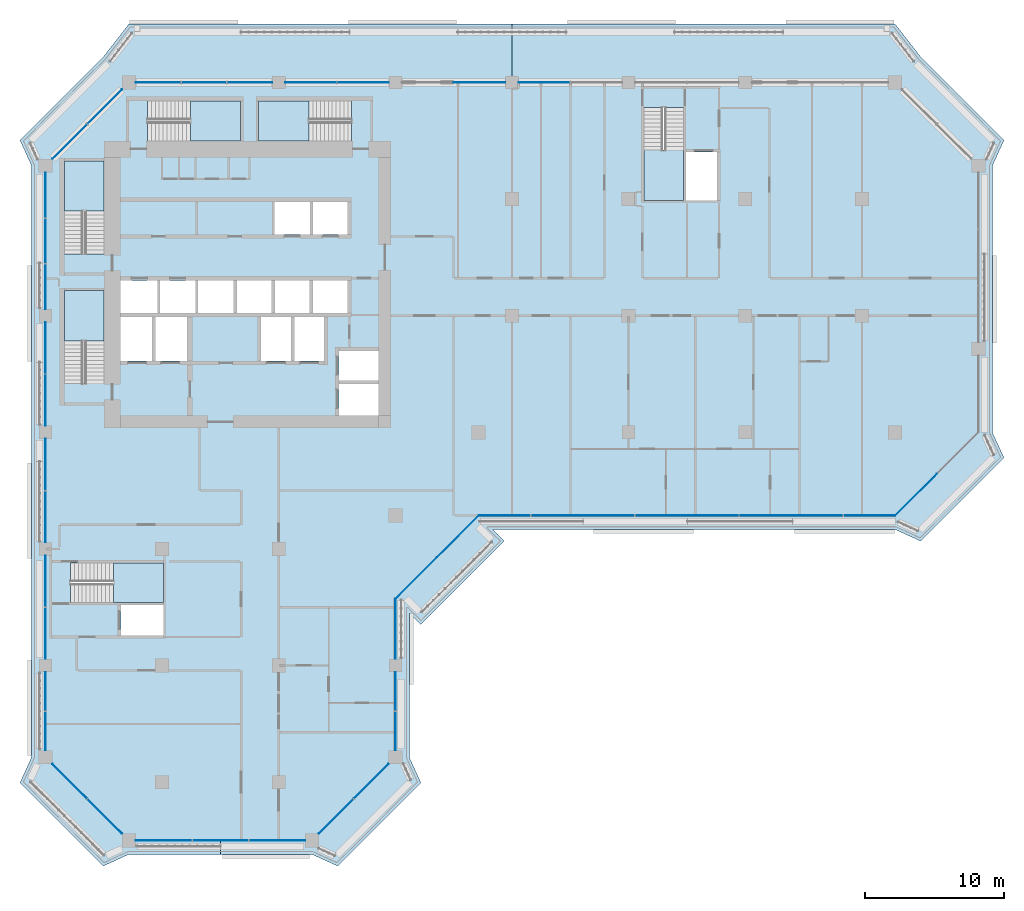
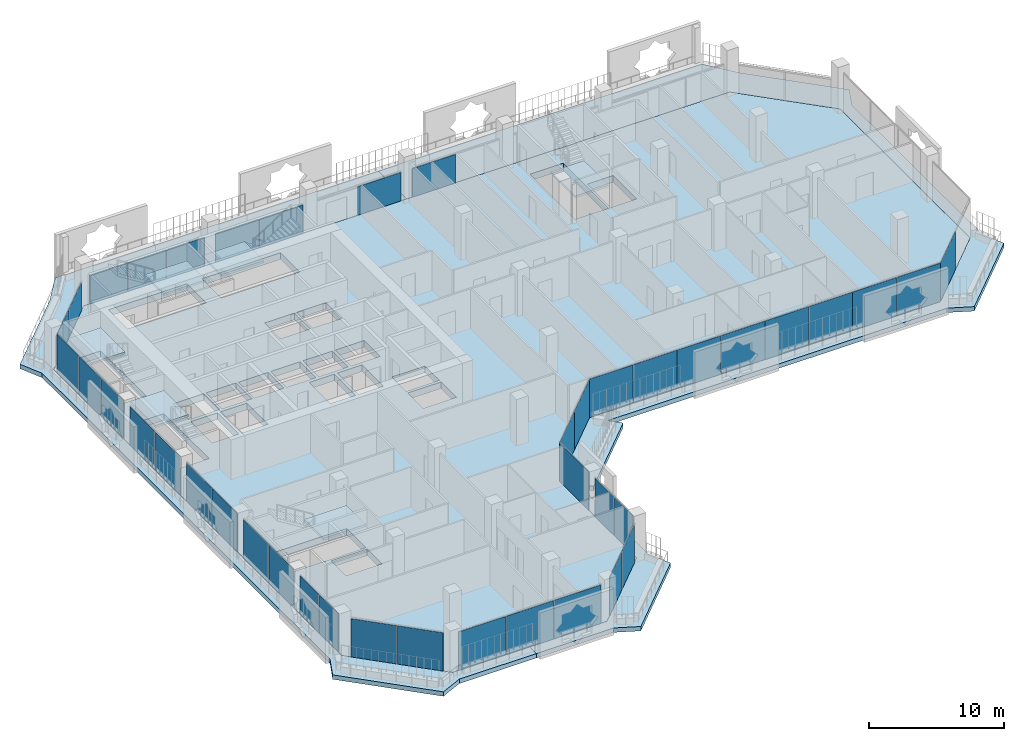
# One storey, part 8 of 22: 41 plates, 9 slabs, 16 elements without a shape of their own.
"""IFC4 building model written with IfcOpenShell, lengths in metres."""

from ifc_helpers import new_model, si_unit, direction, frame, origin, origin_2d, place, context, subcontext, project, spatial, polyline, rectangle, outline, extrude, material, layer, layer_set, type_object, element, aggregate, save


model = new_model("IFC4")

# Units and contexts
model_context = context("Model", 3, precision=1e-05, world=origin(), true_north=direction((0.0, 1.0)))
body_context = subcontext(model_context, "Body", "Model", "MODEL_VIEW")
ifc_project = project(units=[si_unit("LENGTHUNIT", "METRE"), si_unit("AREAUNIT", "SQUARE_METRE"), si_unit("VOLUMEUNIT", "CUBIC_METRE"), si_unit("PLANEANGLEUNIT", "RADIAN"), si_unit("MASSUNIT", "GRAM", prefix="KILO")], contexts=[model_context])

# Site, building, storey
site_placement = place(None, origin())
site = spatial("IfcSite", under=ifc_project, at=site_placement, CompositionType="ELEMENT")
building_placement = place(site_placement, origin())
building = spatial("IfcBuilding", under=site, at=building_placement, Name="Kawkab Arch Medical Tower", CompositionType="ELEMENT")
storey_placement = place(building_placement, frame((0.0, 0.0, 183.60009765625)))
storey = spatial("IfcBuildingStorey", under=building, at=storey_placement, Name="L42", CompositionType="ELEMENT", Elevation=183.60009765625)

# Curtain wall, plates
ifc_material_1 = material(Name="Bronze anodised aluminium curtain wall frame", Category="aluminium")
ifc_layer_1 = layer(ifc_material_1, 0.159912109375)
ifc_layer_set_1 = layer_set([ifc_layer_1], Name="Bronze anodised aluminium curtain wall frame")
curtain_wall_type_1 = type_object("IfcCurtainWallType", Name="CW1 ward curtain wall", PredefinedType="NOTDEFINED", material=ifc_layer_set_1)
placement_1 = place(storey_placement, origin())
curtain_wall_1 = element("IfcCurtainWall", 1, at=placement_1, inside=storey, type_object=curtain_wall_type_1, Name="CW1 Ward curtain wall R01", PredefinedType="NOTDEFINED")
ifc_material_2 = material(Name="Tinted insulating glass, bronze low-e coating", Category="glass")
ifc_layer_2 = layer(ifc_material_2, 0.031982421875)
ifc_layer_set_2 = layer_set([ifc_layer_2], Name="Tinted insulating glass, bronze low-e coating")
plate_type_1 = type_object("IfcPlateType", Name="CW1 glazing unit 32", PredefinedType="CURTAIN_PANEL", material=ifc_layer_set_2)
plate_1_placement = place(storey_placement, frame((0.0, -8.12255859375, 0.0), z_axis=(0.0, 0.0, 1.0), x_axis=(0.0, -1.0, 0.0)))
plate_1 = element("IfcPlate", 2, at=plate_1_placement, type_object=plate_type_1, Name="CW1 glazing unit 1.1", PredefinedType="CURTAIN_PANEL", context=body_context, shape_type="SweptSolid", body=[
    extrude(rectangle(XDim=3.2451171875, YDim=0.031982421875, at=origin_2d()), origin(), (0.0, 0.0, 1.0), 3.47998046875),
])
plate_2_placement = place(storey_placement, frame((0.0, -11.41259765625, 0.0), z_axis=(0.0, 0.0, 1.0), x_axis=(0.0, -1.0, 0.0)))
plate_2 = element("IfcPlate", 3, at=plate_2_placement, type_object=plate_type_1, Name="CW1 glazing unit 1.2", PredefinedType="CURTAIN_PANEL", context=body_context, shape_type="SweptSolid", body=[
    extrude(rectangle(XDim=3.215087890625, YDim=0.031982421875, at=origin_2d()), origin(), (0.0, 0.0, 1.0), 3.47998046875),
])
plate_3_placement = place(storey_placement, frame((0.0, -14.702392578125, 0.0), z_axis=(0.0, 0.0, 1.0), x_axis=(0.0, -1.0, 0.0)))
plate_3 = element("IfcPlate", 4, at=plate_3_placement, type_object=plate_type_1, Name="CW1 glazing unit 1.3", PredefinedType="CURTAIN_PANEL", context=body_context, shape_type="SweptSolid", body=[
    extrude(rectangle(XDim=3.2451171875, YDim=0.031982421875, at=origin_2d()), origin(), (0.0, 0.0, 1.0), 3.47998046875),
])
plate_4_placement = place(storey_placement, frame((0.0, -19.12255859375, 0.0), z_axis=(0.0, 0.0, 1.0), x_axis=(0.0, -1.0, 0.0)))
plate_4 = element("IfcPlate", 5, at=plate_4_placement, type_object=plate_type_1, Name="CW1 glazing unit 2.1", PredefinedType="CURTAIN_PANEL", context=body_context, shape_type="SweptSolid", body=[
    extrude(rectangle(XDim=3.695068359375, YDim=0.031982421875, at=origin_2d()), origin(), (0.0, 0.0, 1.0), 3.47998046875),
])
plate_5_placement = place(storey_placement, frame((0.0, -22.87744140625, 0.0), z_axis=(0.0, 0.0, 1.0), x_axis=(0.0, -1.0, 0.0)))
plate_5 = element("IfcPlate", 6, at=plate_5_placement, type_object=plate_type_1, Name="CW1 glazing unit 2.2", PredefinedType="CURTAIN_PANEL", context=body_context, shape_type="SweptSolid", body=[
    extrude(rectangle(XDim=3.695068359375, YDim=0.031982421875, at=origin_2d()), origin(), (0.0, 0.0, 1.0), 3.47998046875),
])
plate_6_placement = place(storey_placement, frame((0.0, -27.5224609375, 0.0), z_axis=(0.0, 0.0, 1.0), x_axis=(0.0, -1.0, 0.0)))
plate_6 = element("IfcPlate", 7, at=plate_6_placement, type_object=plate_type_1, Name="CW1 glazing unit 3.1", PredefinedType="CURTAIN_PANEL", context=body_context, shape_type="SweptSolid", body=[
    extrude(rectangle(XDim=3.695068359375, YDim=0.031982421875, at=origin_2d()), origin(), (0.0, 0.0, 1.0), 3.47998046875),
])
plate_7_placement = place(storey_placement, frame((0.0, -31.277587890625, 0.0), z_axis=(0.0, 0.0, 1.0), x_axis=(0.0, -1.0, 0.0)))
plate_7 = element("IfcPlate", 8, at=plate_7_placement, type_object=plate_type_1, Name="CW1 glazing unit 3.2", PredefinedType="CURTAIN_PANEL", context=body_context, shape_type="SweptSolid", body=[
    extrude(rectangle(XDim=3.695068359375, YDim=0.031982421875, at=origin_2d()), origin(), (0.0, 0.0, 1.0), 3.47998046875),
])
plate_8_placement = place(storey_placement, frame((0.0, -35.922607421875, 0.0), z_axis=(0.0, 0.0, 1.0), x_axis=(0.0, -1.0, 0.0)))
plate_8 = element("IfcPlate", 9, at=plate_8_placement, type_object=plate_type_1, Name="CW1 glazing unit 4.1", PredefinedType="CURTAIN_PANEL", context=body_context, shape_type="SweptSolid", body=[
    extrude(rectangle(XDim=3.695068359375, YDim=0.031982421875, at=origin_2d()), origin(), (0.0, 0.0, 1.0), 3.47998046875),
])
plate_9_placement = place(storey_placement, frame((0.0, -39.677490234375, 0.0), z_axis=(0.0, 0.0, 1.0), x_axis=(0.0, -1.0, 0.0)))
plate_9 = element("IfcPlate", 10, at=plate_9_placement, type_object=plate_type_1, Name="CW1 glazing unit 4.2", PredefinedType="CURTAIN_PANEL", context=body_context, shape_type="SweptSolid", body=[
    extrude(rectangle(XDim=3.695068359375, YDim=0.031982421875, at=origin_2d()), origin(), (0.0, 0.0, 1.0), 3.47998046875),
])
plate_10_placement = place(storey_placement, frame((0.0, -43.8662109375, 0.0), z_axis=(0.0, 0.0, 1.0), x_axis=(0.0, -1.0, 0.0)))
plate_10 = element("IfcPlate", 11, at=plate_10_placement, type_object=plate_type_1, Name="CW1 glazing unit 5.1", PredefinedType="CURTAIN_PANEL", context=body_context, shape_type="SweptSolid", body=[
    extrude(rectangle(XDim=2.782470703125, YDim=0.031982421875, at=origin_2d()), origin(), (0.0, 0.0, 1.0), 3.47998046875),
])
plate_11_placement = place(storey_placement, frame((0.0, -46.708740234375, 0.0), z_axis=(0.0, 0.0, 1.0), x_axis=(0.0, -1.0, 0.0)))
plate_11 = element("IfcPlate", 12, at=plate_11_placement, type_object=plate_type_1, Name="CW1 glazing unit 5.2", PredefinedType="CURTAIN_PANEL", context=body_context, shape_type="SweptSolid", body=[
    extrude(rectangle(XDim=2.782470703125, YDim=0.031982421875, at=origin_2d()), origin(), (0.0, 0.0, 1.0), 3.47998046875),
])
aggregate(curtain_wall_1, [plate_1, plate_2, plate_3, plate_4, plate_5, plate_6, plate_7, plate_8, plate_9, plate_10, plate_11])

curtain_wall_2 = element("IfcCurtainWall", 13, at=placement_1, inside=storey, type_object=curtain_wall_type_1, Name="CW1 Ward curtain wall R03", PredefinedType="NOTDEFINED")
plate_12_placement = place(storey_placement, frame((8.518310546875, -54.60009765625, 0.0), z_axis=(0.0, 0.0, 1.0), x_axis=(1.0, 0.0, 0.0)))
plate_12 = element("IfcPlate", 14, at=plate_12_placement, type_object=plate_type_1, Name="CW1 glazing unit 1.1", PredefinedType="CURTAIN_PANEL", context=body_context, shape_type="SweptSolid", body=[
    extrude(rectangle(XDim=4.03662109375, YDim=0.031982421875, at=origin_2d()), origin(), (0.0, 0.0, 1.0), 3.47998046875),
])
plate_13_placement = place(storey_placement, frame((12.60009765625, -54.60009765625, 0.0), z_axis=(0.0, 0.0, 1.0), x_axis=(1.0, 0.0, 0.0)))
plate_13 = element("IfcPlate", 15, at=plate_13_placement, type_object=plate_type_1, Name="CW1 glazing unit 1.2", PredefinedType="CURTAIN_PANEL", context=body_context, shape_type="SweptSolid", body=[
    extrude(rectangle(XDim=4.006591796875, YDim=0.031982421875, at=origin_2d()), origin(), (0.0, 0.0, 1.0), 3.47998046875),
])
plate_14_placement = place(storey_placement, frame((16.681640625, -54.60009765625, 0.0), z_axis=(0.0, 0.0, 1.0), x_axis=(1.0, 0.0, 0.0)))
plate_14 = element("IfcPlate", 16, at=plate_14_placement, type_object=plate_type_1, Name="CW1 glazing unit 1.3", PredefinedType="CURTAIN_PANEL", context=body_context, shape_type="SweptSolid", body=[
    extrude(rectangle(XDim=4.03662109375, YDim=0.031982421875, at=origin_2d()), origin(), (0.0, 0.0, 1.0), 3.47998046875),
])
aggregate(curtain_wall_2, [plate_12, plate_13, plate_14])

curtain_wall_3 = element("IfcCurtainWall", 17, at=placement_1, inside=storey, type_object=curtain_wall_type_1, Name="CW1 Ward curtain wall R05", PredefinedType="NOTDEFINED")
plate_15_placement = place(storey_placement, frame((25.199951171875, -46.708740234375, 0.0), z_axis=(0.0, 0.0, 1.0), x_axis=(0.0, 1.0, 0.0)))
plate_15 = element("IfcPlate", 18, at=plate_15_placement, type_object=plate_type_1, Name="CW1 glazing unit 1.1", PredefinedType="CURTAIN_PANEL", context=body_context, shape_type="SweptSolid", body=[
    extrude(rectangle(XDim=2.782470703125, YDim=0.031982421875, at=origin_2d()), origin(), (0.0, 0.0, 1.0), 3.47998046875),
])
plate_16_placement = place(storey_placement, frame((25.199951171875, -43.8662109375, 0.0), z_axis=(0.0, 0.0, 1.0), x_axis=(0.0, 1.0, 0.0)))
plate_16 = element("IfcPlate", 19, at=plate_16_placement, type_object=plate_type_1, Name="CW1 glazing unit 1.2", PredefinedType="CURTAIN_PANEL", context=body_context, shape_type="SweptSolid", body=[
    extrude(rectangle(XDim=2.782470703125, YDim=0.031982421875, at=origin_2d()), origin(), (0.0, 0.0, 1.0), 3.47998046875),
])
plate_17_placement = place(storey_placement, frame((25.199951171875, -39.362548828125, 0.0), z_axis=(0.0, 0.0, 1.0), x_axis=(0.0, 1.0, 0.0)))
plate_17 = element("IfcPlate", 20, at=plate_17_placement, type_object=plate_type_1, Name="CW1 glazing unit 2.1", PredefinedType="CURTAIN_PANEL", context=body_context, shape_type="SweptSolid", body=[
    extrude(rectangle(XDim=4.324951171875, YDim=0.031982421875, at=origin_2d()), origin(), (0.0, 0.0, 1.0), 3.47998046875),
])
aggregate(curtain_wall_3, [plate_15, plate_16, plate_17])

curtain_wall_4 = element("IfcCurtainWall", 21, at=placement_1, inside=storey, type_object=curtain_wall_type_1, Name="CW1 Ward curtain wall R07", PredefinedType="NOTDEFINED")
plate_18_placement = place(storey_placement, frame((33.06005859375, -31.199951171875, 0.0), z_axis=(0.0, 0.0, 1.0), x_axis=(1.0, 0.0, 0.0)))
plate_18 = element("IfcPlate", 22, at=plate_18_placement, type_object=plate_type_1, Name="CW1 glazing unit 1.1", PredefinedType="CURTAIN_PANEL", context=body_context, shape_type="SweptSolid", body=[
    extrude(rectangle(XDim=3.719970703125, YDim=0.031982421875, at=origin_2d()), origin(), (0.0, 0.0, 1.0), 3.47998046875),
])
plate_19_placement = place(storey_placement, frame((36.840087890625, -31.199951171875, 0.0), z_axis=(0.0, 0.0, 1.0), x_axis=(1.0, 0.0, 0.0)))
plate_19 = element("IfcPlate", 23, at=plate_19_placement, type_object=plate_type_1, Name="CW1 glazing unit 1.2", PredefinedType="CURTAIN_PANEL", context=body_context, shape_type="SweptSolid", body=[
    extrude(rectangle(XDim=3.719970703125, YDim=0.031982421875, at=origin_2d()), origin(), (0.0, 0.0, 1.0), 3.47998046875),
])
plate_20_placement = place(storey_placement, frame((40.56005859375, -31.199951171875, 0.0), z_axis=(0.0, 0.0, 1.0), x_axis=(1.0, 0.0, 0.0)))
plate_20 = element("IfcPlate", 24, at=plate_20_placement, type_object=plate_type_1, Name="CW1 glazing unit 2.1", PredefinedType="CURTAIN_PANEL", context=body_context, shape_type="SweptSolid", body=[
    extrude(rectangle(XDim=3.719970703125, YDim=0.031982421875, at=origin_2d()), origin(), (0.0, 0.0, 1.0), 3.47998046875),
])
plate_21_placement = place(storey_placement, frame((44.340087890625, -31.199951171875, 0.0), z_axis=(0.0, 0.0, 1.0), x_axis=(1.0, 0.0, 0.0)))
plate_21 = element("IfcPlate", 25, at=plate_21_placement, type_object=plate_type_1, Name="CW1 glazing unit 2.2", PredefinedType="CURTAIN_PANEL", context=body_context, shape_type="SweptSolid", body=[
    extrude(rectangle(XDim=3.719970703125, YDim=0.031982421875, at=origin_2d()), origin(), (0.0, 0.0, 1.0), 3.47998046875),
])
plate_22_placement = place(storey_placement, frame((48.06005859375, -31.199951171875, 0.0), z_axis=(0.0, 0.0, 1.0), x_axis=(1.0, 0.0, 0.0)))
plate_22 = element("IfcPlate", 26, at=plate_22_placement, type_object=plate_type_1, Name="CW1 glazing unit 3.1", PredefinedType="CURTAIN_PANEL", context=body_context, shape_type="SweptSolid", body=[
    extrude(rectangle(XDim=3.719970703125, YDim=0.031982421875, at=origin_2d()), origin(), (0.0, 0.0, 1.0), 3.47998046875),
])
plate_23_placement = place(storey_placement, frame((51.840087890625, -31.199951171875, 0.0), z_axis=(0.0, 0.0, 1.0), x_axis=(1.0, 0.0, 0.0)))
plate_23 = element("IfcPlate", 27, at=plate_23_placement, type_object=plate_type_1, Name="CW1 glazing unit 3.2", PredefinedType="CURTAIN_PANEL", context=body_context, shape_type="SweptSolid", body=[
    extrude(rectangle(XDim=3.719970703125, YDim=0.031982421875, at=origin_2d()), origin(), (0.0, 0.0, 1.0), 3.47998046875),
])
plate_24_placement = place(storey_placement, frame((55.56005859375, -31.199951171875, 0.0), z_axis=(0.0, 0.0, 1.0), x_axis=(1.0, 0.0, 0.0)))
plate_24 = element("IfcPlate", 28, at=plate_24_placement, type_object=plate_type_1, Name="CW1 glazing unit 4.1", PredefinedType="CURTAIN_PANEL", context=body_context, shape_type="SweptSolid", body=[
    extrude(rectangle(XDim=3.719970703125, YDim=0.031982421875, at=origin_2d()), origin(), (0.0, 0.0, 1.0), 3.47998046875),
])
plate_25_placement = place(storey_placement, frame((59.340087890625, -31.199951171875, 0.0), z_axis=(0.0, 0.0, 1.0), x_axis=(1.0, 0.0, 0.0)))
plate_25 = element("IfcPlate", 29, at=plate_25_placement, type_object=plate_type_1, Name="CW1 glazing unit 4.2", PredefinedType="CURTAIN_PANEL", context=body_context, shape_type="SweptSolid", body=[
    extrude(rectangle(XDim=3.719970703125, YDim=0.031982421875, at=origin_2d()), origin(), (0.0, 0.0, 1.0), 3.47998046875),
])
aggregate(curtain_wall_4, [plate_18, plate_19, plate_20, plate_21, plate_22, plate_23, plate_24, plate_25])

curtain_wall_5 = element("IfcCurtainWall", 30, at=placement_1, inside=storey, type_object=curtain_wall_type_1, Name="CW1 Ward curtain wall R11", PredefinedType="NOTDEFINED")
plate_26_placement = place(storey_placement, frame((35.922607421875, 0.0, -0.000244140625), z_axis=(0.0, 0.0, 1.0), x_axis=(-1.0, 0.0, 0.0)))
plate_26 = element("IfcPlate", 31, at=plate_26_placement, type_object=plate_type_1, Name="CW1 glazing unit 3.2", PredefinedType="CURTAIN_PANEL", context=body_context, shape_type="SweptSolid", body=[
    extrude(rectangle(XDim=3.695068359375, YDim=0.031982421875, at=origin_2d()), origin(), (0.0, 0.0, 1.0), 2.580078125),
])
plate_27_placement = place(storey_placement, frame((31.262451171875, 0.0, -0.000244140625), z_axis=(0.0, 0.0, 1.0), x_axis=(-1.0, 0.0, 0.0)))
plate_27 = element("IfcPlate", 32, at=plate_27_placement, type_object=plate_type_1, Name="CW1 glazing unit 4.1", PredefinedType="CURTAIN_PANEL", context=body_context, shape_type="SweptSolid", body=[
    extrude(rectangle(XDim=3.72509765625, YDim=0.031982421875, at=origin_2d()), origin(), (0.0, 0.0, 1.0), 2.580078125),
])
plate_28_placement = place(storey_placement, frame((22.87744140625, 0.0, -0.000244140625), z_axis=(0.0, 0.0, 1.0), x_axis=(-1.0, 0.0, 0.0)))
plate_28 = element("IfcPlate", 33, at=plate_28_placement, type_object=plate_type_1, Name="CW1 glazing unit 5.1", PredefinedType="CURTAIN_PANEL", context=body_context, shape_type="SweptSolid", body=[
    extrude(rectangle(XDim=3.695068359375, YDim=0.031982421875, at=origin_2d()), origin(), (0.0, 0.0, 1.0), 2.580078125),
])
plate_29_placement = place(storey_placement, frame((19.12255859375, 0.0, -0.000244140625), z_axis=(0.0, 0.0, 1.0), x_axis=(-1.0, 0.0, 0.0)))
plate_29 = element("IfcPlate", 34, at=plate_29_placement, type_object=plate_type_1, Name="CW1 glazing unit 5.2", PredefinedType="CURTAIN_PANEL", context=body_context, shape_type="SweptSolid", body=[
    extrude(rectangle(XDim=3.695068359375, YDim=0.031982421875, at=origin_2d()), origin(), (0.0, 0.0, 1.0), 2.580078125),
])
plate_30_placement = place(storey_placement, frame((14.702392578125, 0.0, -0.000244140625), z_axis=(0.0, 0.0, 1.0), x_axis=(-1.0, 0.0, 0.0)))
plate_30 = element("IfcPlate", 35, at=plate_30_placement, type_object=plate_type_1, Name="CW1 glazing unit 6.1", PredefinedType="CURTAIN_PANEL", context=body_context, shape_type="SweptSolid", body=[
    extrude(rectangle(XDim=3.2451171875, YDim=0.031982421875, at=origin_2d()), origin(), (0.0, 0.0, 1.0), 2.580078125),
])
plate_31_placement = place(storey_placement, frame((11.41259765625, 0.0, -0.000244140625), z_axis=(0.0, 0.0, 1.0), x_axis=(-1.0, 0.0, 0.0)))
plate_31 = element("IfcPlate", 36, at=plate_31_placement, type_object=plate_type_1, Name="CW1 glazing unit 6.2", PredefinedType="CURTAIN_PANEL", context=body_context, shape_type="SweptSolid", body=[
    extrude(rectangle(XDim=3.215087890625, YDim=0.031982421875, at=origin_2d()), origin(), (0.0, 0.0, 1.0), 2.580078125),
])
plate_32_placement = place(storey_placement, frame((8.12255859375, 0.0, -0.000244140625), z_axis=(0.0, 0.0, 1.0), x_axis=(-1.0, 0.0, 0.0)))
plate_32 = element("IfcPlate", 37, at=plate_32_placement, type_object=plate_type_1, Name="CW1 glazing unit 6.3", PredefinedType="CURTAIN_PANEL", context=body_context, shape_type="SweptSolid", body=[
    extrude(rectangle(XDim=3.2451171875, YDim=0.031982421875, at=origin_2d()), origin(), (0.0, 0.0, 1.0), 2.580078125),
])
aggregate(curtain_wall_5, [plate_26, plate_27, plate_28, plate_29, plate_30, plate_31, plate_32])

ifc_material_3 = material(Name="Bronze anodised aluminium curtain wall frame", Category="aluminium")
ifc_layer_3 = layer(ifc_material_3, 0.159912109375)
ifc_layer_set_3 = layer_set([ifc_layer_3], Name="Bronze anodised aluminium curtain wall frame")
curtain_wall_type_2 = type_object("IfcCurtainWallType", Name="CW2 chamfer curtain wall", PredefinedType="NOTDEFINED", material=ifc_layer_set_3)
curtain_wall_6 = element("IfcCurtainWall", 38, at=placement_1, inside=storey, type_object=curtain_wall_type_2, Name="CW2 Chamfer curtain wall R02", PredefinedType="NOTDEFINED")
ifc_material_4 = material(Name="Tinted insulating glass, bronze low-e coating", Category="glass")
ifc_layer_4 = layer(ifc_material_4, 0.031982421875)
ifc_layer_set_4 = layer_set([ifc_layer_4], Name="Tinted insulating glass, bronze low-e coating")
plate_type_2 = type_object("IfcPlateType", Name="CW2 glazing unit 32", PredefinedType="CURTAIN_PANEL", material=ifc_layer_set_4)
plate_33_placement = place(storey_placement, frame((1.739501953125, -50.33935546875, 0.0), z_axis=(0.0, 0.0, 1.0), x_axis=(0.707106781187, -0.707106781187, 0.0)))
plate_33 = element("IfcPlate", 39, at=plate_33_placement, type_object=plate_type_2, Name="CW2 glazing unit 1.1", PredefinedType="CURTAIN_PANEL", context=body_context, shape_type="SweptSolid", body=[
    extrude(rectangle(XDim=3.505615234375, YDim=0.031982421875, at=origin_2d()), origin(), (0.0, 0.0, 1.0), 3.4599609375),
])
plate_34_placement = place(storey_placement, frame((4.260498046875, -52.860595703125, 0.0), z_axis=(0.0, 0.0, 1.0), x_axis=(0.707106781187, -0.707106781187, 0.0)))
plate_34 = element("IfcPlate", 40, at=plate_34_placement, type_object=plate_type_2, Name="CW2 glazing unit 1.2", PredefinedType="CURTAIN_PANEL", context=body_context, shape_type="SweptSolid", body=[
    extrude(rectangle(XDim=3.505615234375, YDim=0.031982421875, at=origin_2d()), origin(), (0.0, 0.0, 1.0), 3.4599609375),
])
aggregate(curtain_wall_6, [plate_33, plate_34])

curtain_wall_7 = element("IfcCurtainWall", 41, at=placement_1, inside=storey, type_object=curtain_wall_type_2, Name="CW2 Chamfer curtain wall R04", PredefinedType="NOTDEFINED")
plate_35_placement = place(storey_placement, frame((20.939453125, -52.860595703125, 0.0), z_axis=(0.0, 0.0, 1.0), x_axis=(0.707106781187, 0.707106781187, 0.0)))
plate_35 = element("IfcPlate", 42, at=plate_35_placement, type_object=plate_type_2, Name="CW2 glazing unit 1.1", PredefinedType="CURTAIN_PANEL", context=body_context, shape_type="SweptSolid", body=[
    extrude(rectangle(XDim=3.505615234375, YDim=0.031982421875, at=origin_2d()), origin(), (0.0, 0.0, 1.0), 3.4599609375),
])
plate_36_placement = place(storey_placement, frame((23.460693359375, -50.33935546875, 0.0), z_axis=(0.0, 0.0, 1.0), x_axis=(0.707106781187, 0.707106781187, 0.0)))
plate_36 = element("IfcPlate", 43, at=plate_36_placement, type_object=plate_type_2, Name="CW2 glazing unit 1.2", PredefinedType="CURTAIN_PANEL", context=body_context, shape_type="SweptSolid", body=[
    extrude(rectangle(XDim=3.505615234375, YDim=0.031982421875, at=origin_2d()), origin(), (0.0, 0.0, 1.0), 3.4599609375),
])
aggregate(curtain_wall_7, [plate_35, plate_36])

curtain_wall_8 = element("IfcCurtainWall", 44, at=placement_1, inside=storey, type_object=curtain_wall_type_2, Name="CW2 Chamfer curtain wall R06", PredefinedType="NOTDEFINED")
plate_37_placement = place(storey_placement, frame((26.699951171875, -35.699951171875, 0.0), z_axis=(0.0, 0.0, 1.0), x_axis=(0.707106781187, 0.707106781187, 0.0)))
plate_37 = element("IfcPlate", 45, at=plate_37_placement, type_object=plate_type_2, Name="CW2 glazing unit 1.1", PredefinedType="CURTAIN_PANEL", context=body_context, shape_type="SweptSolid", body=[
    extrude(rectangle(XDim=4.24267578125, YDim=0.031982421875, at=origin_2d()), origin(), (0.0, 0.0, 1.0), 3.4599609375),
])
plate_38_placement = place(storey_placement, frame((29.699951171875, -32.699951171875, 0.0), z_axis=(0.0, 0.0, 1.0), x_axis=(0.707106781187, 0.707106781187, 0.0)))
plate_38 = element("IfcPlate", 46, at=plate_38_placement, type_object=plate_type_2, Name="CW2 glazing unit 2.1", PredefinedType="CURTAIN_PANEL", context=body_context, shape_type="SweptSolid", body=[
    extrude(rectangle(XDim=4.24267578125, YDim=0.031982421875, at=origin_2d()), origin(), (0.0, 0.0, 1.0), 3.4599609375),
])
aggregate(curtain_wall_8, [plate_37, plate_38])

# Curtain wall, plate
curtain_wall_9 = element("IfcCurtainWall", 47, at=placement_1, inside=storey, type_object=curtain_wall_type_2, Name="CW2 Chamfer curtain wall R08", PredefinedType="NOTDEFINED")
plate_39_placement = place(storey_placement, frame((62.699951171875, -29.699951171875, 0.0), z_axis=(0.0, 0.0, 1.0), x_axis=(0.707106781187, 0.707106781187, 0.0)))
plate_39 = element("IfcPlate", 48, at=plate_39_placement, type_object=plate_type_2, Name="CW2 glazing unit 1.1", PredefinedType="CURTAIN_PANEL", context=body_context, shape_type="SweptSolid", body=[
    extrude(rectangle(XDim=4.24267578125, YDim=0.031982421875, at=origin_2d()), origin(), (0.0, 0.0, 1.0), 3.4599609375),
])
aggregate(curtain_wall_9, [plate_39])

# Curtain wall, plates
curtain_wall_10 = element("IfcCurtainWall", 49, at=placement_1, inside=storey, type_object=curtain_wall_type_2, Name="CW2 Chamfer curtain wall R12", PredefinedType="NOTDEFINED")
plate_40_placement = place(storey_placement, frame((4.260498046875, -1.739501953125, -0.000244140625), z_axis=(0.0, 0.0, 1.0), x_axis=(-0.707106781187, -0.707106781187, 0.0)))
plate_40 = element("IfcPlate", 50, at=plate_40_placement, type_object=plate_type_2, Name="CW2 glazing unit 1.1", PredefinedType="CURTAIN_PANEL", context=body_context, shape_type="SweptSolid", body=[
    extrude(rectangle(XDim=3.505615234375, YDim=0.031982421875, at=origin_2d()), origin(), (0.0, 0.0, 1.0), 2.56005859375),
])
plate_41_placement = place(storey_placement, frame((1.739501953125, -4.260498046875, -0.000244140625), z_axis=(0.0, 0.0, 1.0), x_axis=(-0.707106781187, -0.707106781187, 0.0)))
plate_41 = element("IfcPlate", 51, at=plate_41_placement, type_object=plate_type_2, Name="CW2 glazing unit 1.2", PredefinedType="CURTAIN_PANEL", context=body_context, shape_type="SweptSolid", body=[
    extrude(rectangle(XDim=3.505615234375, YDim=0.031982421875, at=origin_2d()), origin(), (0.0, 0.0, 1.0), 2.56005859375),
])
aggregate(curtain_wall_10, [plate_40, plate_41])

# Stair, slab
ifc_material_5 = material(Name="Concrete C40/50", Category="concrete")
stair_type = type_object("IfcStairType", Name="Exit stair 1350", PredefinedType="HALF_TURN_STAIR", material=ifc_material_5)
stair_1 = element("IfcStair", 52, at=placement_1, inside=storey, type_object=stair_type, Name="L42 Exit stair ST1", PredefinedType="HALF_TURN_STAIR")
ifc_material_6 = material(Name="Concrete C40/50", Category="concrete")
ifc_layer_5 = layer(ifc_material_6, 0.199951171875)
ifc_layer_set_5 = layer_set([ifc_layer_5], Name="Concrete C40/50")
slab_type_1 = type_object("IfcSlabType", Name="Exit stair landing 200", PredefinedType="LANDING", material=ifc_layer_set_5)
placement_2 = place(storey_placement, frame((0.0, 0.0, 1.89990234375)))
slab_1 = element("IfcSlab", 53, at=placement_2, type_object=slab_type_1, Name="ST1 landing 1", PredefinedType="LANDING", context=body_context, shape_type="SweptSolid", body=[
    extrude(outline(polyline([(4.199951171875, -9.27001953125), (4.199951171875, -5.64990234375), (1.35009765625, -5.64990234375), (1.35009765625, -9.27001953125), (4.199951171875, -9.27001953125)])), origin(), (0.0, 0.0, 1.0), 0.199951171875),
])
aggregate(stair_1, [slab_1])

stair_2 = element("IfcStair", 54, at=placement_1, inside=storey, type_object=stair_type, Name="L42 Exit stair ST2", PredefinedType="HALF_TURN_STAIR")
slab_2 = element("IfcSlab", 55, at=placement_2, type_object=slab_type_1, Name="ST2 landing 1", PredefinedType="LANDING", context=body_context, shape_type="SweptSolid", body=[
    extrude(outline(polyline([(4.199951171875, -18.6201171875), (4.199951171875, -15.0), (1.35009765625, -15.0), (1.35009765625, -18.6201171875), (4.199951171875, -18.6201171875)])), origin(), (0.0, 0.0, 1.0), 0.199951171875),
])
aggregate(stair_2, [slab_2])

stair_3 = element("IfcStair", 56, at=placement_1, inside=storey, type_object=stair_type, Name="L42 Exit stair ST3", PredefinedType="HALF_TURN_STAIR")
slab_3 = element("IfcSlab", 57, at=placement_2, type_object=slab_type_1, Name="ST3 landing 1", PredefinedType="LANDING", context=body_context, shape_type="SweptSolid", body=[
    extrude(outline(polyline([(10.429931640625, -4.199951171875), (14.050048828125, -4.199951171875), (14.050048828125, -1.35009765625), (10.429931640625, -1.35009765625), (10.429931640625, -4.199951171875)])), origin(), (0.0, 0.0, 1.0), 0.199951171875),
])
aggregate(stair_3, [slab_3])

stair_4 = element("IfcStair", 58, at=placement_1, inside=storey, type_object=stair_type, Name="L42 Exit stair ST4", PredefinedType="HALF_TURN_STAIR")
slab_4 = element("IfcSlab", 59, at=placement_2, type_object=slab_type_1, Name="ST4 landing 1", PredefinedType="LANDING", context=body_context, shape_type="SweptSolid", body=[
    extrude(outline(polyline([(18.969970703125, -1.35009765625), (15.35009765625, -1.35009765625), (15.35009765625, -4.199951171875), (18.969970703125, -4.199951171875), (18.969970703125, -1.35009765625)])), origin(), (0.0, 0.0, 1.0), 0.199951171875),
])
aggregate(stair_4, [slab_4])

stair_5 = element("IfcStair", 60, at=placement_1, inside=storey, type_object=stair_type, Name="L42 Exit stair ST5", PredefinedType="HALF_TURN_STAIR")
slab_5 = element("IfcSlab", 61, at=placement_2, type_object=slab_type_1, Name="ST5 landing 1", PredefinedType="LANDING", context=body_context, shape_type="SweptSolid", body=[
    extrude(outline(polyline([(43.10009765625, -4.8798828125), (43.10009765625, -8.5), (45.949951171875, -8.5), (45.949951171875, -4.8798828125), (43.10009765625, -4.8798828125)])), origin(), (0.0, 0.0, 1.0), 0.199951171875),
])
aggregate(stair_5, [slab_5])

stair_6 = element("IfcStair", 62, at=placement_1, inside=storey, type_object=stair_type, Name="L42 Exit stair ST6", PredefinedType="HALF_TURN_STAIR")
slab_6 = element("IfcSlab", 63, at=placement_2, type_object=slab_type_1, Name="ST6 landing 1", PredefinedType="LANDING", context=body_context, shape_type="SweptSolid", body=[
    extrude(outline(polyline([(4.8798828125, -37.449951171875), (8.5, -37.449951171875), (8.5, -34.60009765625), (4.8798828125, -34.60009765625), (4.8798828125, -37.449951171875)])), origin(), (0.0, 0.0, 1.0), 0.199951171875),
])
aggregate(stair_6, [slab_6])

# Slabs
ifc_material_7 = material(Name="Concrete C45/55", Category="concrete")
ifc_layer_6 = layer(ifc_material_7, 0.60009765625)
ifc_layer_set_6 = layer_set([ifc_layer_6], Name="Concrete C45/55")
slab_type_2 = type_object("IfcSlabType", Name="Flat plate 600 C45/55", PredefinedType="FLOOR", material=ifc_layer_set_6)
slab_7_placement = place(storey_placement, frame((0.0, 0.0, -0.60009765625)))
element("IfcSlab", 64, at=slab_7_placement, inside=storey, type_object=slab_type_2, Name="Floor slab L42", PredefinedType="FLOOR", context=body_context, shape_type="SweptSolid", body=[
    extrude(outline(polyline([(6.0, 0.0), (61.199951171875, 0.0), (67.199951171875, -6.0), (67.199951171875, -25.199951171875), (61.199951171875, -31.199951171875), (31.199951171875, -31.199951171875), (25.199951171875, -37.199951171875), (25.199951171875, -48.60009765625), (19.199951171875, -54.60009765625), (6.0, -54.60009765625), (0.0, -48.60009765625), (0.0, -6.0), (6.0, 0.0)]), holes=[polyline([(5.425048828125, -37.64990234375), (5.425048828125, -39.85009765625), (8.5, -39.85009765625), (8.5, -37.64990234375), (5.425048828125, -37.64990234375)]), polyline([(8.5, -37.449951171875), (8.5, -34.60009765625), (1.800048828125, -34.60009765625), (1.800048828125, -37.449951171875), (8.5, -37.449951171875)]), polyline([(5.39990234375, -20.050048828125), (7.675048828125, -20.050048828125), (7.675048828125, -16.89990234375), (5.39990234375, -16.89990234375), (5.39990234375, -20.050048828125)]), polyline([(10.199951171875, -20.050048828125), (10.199951171875, -16.89990234375), (7.925048828125, -16.89990234375), (7.925048828125, -20.050048828125), (10.199951171875, -20.050048828125)]), polyline([(4.199951171875, -21.699951171875), (4.199951171875, -15.0), (1.35009765625, -15.0), (1.35009765625, -21.699951171875), (4.199951171875, -21.699951171875)]), polyline([(5.39990234375, -16.60009765625), (8.050048828125, -16.60009765625), (8.050048828125, -14.25), (5.39990234375, -14.25), (5.39990234375, -16.60009765625)]), polyline([(8.25, -16.60009765625), (10.800048828125, -16.60009765625), (10.800048828125, -14.25), (8.25, -14.25), (8.25, -16.60009765625)]), polyline([(11.0, -14.25), (11.0, -16.60009765625), (13.52490234375, -16.60009765625), (13.52490234375, -14.25), (11.0, -14.25)]), polyline([(13.77490234375, -16.60009765625), (16.27490234375, -16.60009765625), (16.27490234375, -14.25), (13.77490234375, -14.25), (13.77490234375, -16.60009765625)]), polyline([(4.199951171875, -12.35009765625), (4.199951171875, -5.64990234375), (1.35009765625, -5.64990234375), (1.35009765625, -12.35009765625), (4.199951171875, -12.35009765625)]), polyline([(7.35009765625, -4.199951171875), (14.050048828125, -4.199951171875), (14.050048828125, -1.35009765625), (7.35009765625, -1.35009765625), (7.35009765625, -4.199951171875)]), polyline([(24.0, -21.72509765625), (21.14990234375, -21.72509765625), (21.14990234375, -24.0), (24.0, -24.0), (24.0, -21.72509765625)]), polyline([(24.0, -19.35009765625), (21.14990234375, -19.35009765625), (21.14990234375, -21.47509765625), (24.0, -21.47509765625), (24.0, -19.35009765625)]), polyline([(17.675048828125, -16.89990234375), (15.52490234375, -16.89990234375), (15.52490234375, -20.050048828125), (17.675048828125, -20.050048828125), (17.675048828125, -16.89990234375)]), polyline([(20.050048828125, -20.050048828125), (20.050048828125, -16.89990234375), (17.925048828125, -16.89990234375), (17.925048828125, -20.050048828125), (20.050048828125, -20.050048828125)]), polyline([(19.02490234375, -16.60009765625), (19.02490234375, -14.25), (16.52490234375, -14.25), (16.52490234375, -16.60009765625), (19.02490234375, -16.60009765625)]), polyline([(21.75, -16.60009765625), (21.75, -14.25), (19.27490234375, -14.25), (19.27490234375, -16.60009765625), (21.75, -16.60009765625)]), polyline([(19.050048828125, -8.60009765625), (16.5, -8.60009765625), (16.5, -10.949951171875), (19.050048828125, -10.949951171875), (19.050048828125, -8.60009765625)]), polyline([(21.75, -10.949951171875), (21.75, -8.60009765625), (19.25, -8.60009765625), (19.25, -10.949951171875), (21.75, -10.949951171875)]), polyline([(46.14990234375, -8.5), (48.35009765625, -8.5), (48.35009765625, -5.02490234375), (46.14990234375, -5.02490234375), (46.14990234375, -8.5)]), polyline([(43.10009765625, -1.800048828125), (43.10009765625, -8.5), (45.949951171875, -8.5), (45.949951171875, -1.800048828125), (43.10009765625, -1.800048828125)]), polyline([(22.050048828125, -1.35009765625), (15.35009765625, -1.35009765625), (15.35009765625, -4.199951171875), (22.050048828125, -4.199951171875), (22.050048828125, -1.35009765625)])]), origin(), (0.0, 0.0, 1.0), 0.60009765625),
])
ifc_material_8 = material(Name="Concrete C40/50", Category="concrete")
ifc_layer_7 = layer(ifc_material_8, 0.39990234375)
ifc_layer_set_7 = layer_set([ifc_layer_7], Name="Concrete C40/50")
slab_type_3 = type_object("IfcSlabType", Name="Loggia slab 400", PredefinedType="FLOOR", material=ifc_layer_set_7)
placement_3 = place(storey_placement, frame((0.0, 0.0, -0.400146484375)))
element("IfcSlab", 65, at=placement_3, inside=storey, type_object=slab_type_3, Name="Loggia slab L42.3", PredefinedType="FLOOR", context=body_context, shape_type="SweptSolid", body=[
    extrude(outline(polyline([(-1.837890625, -50.43701171875), (-1.0, -48.60009765625), (-1.0, -6.0), (-1.837890625, -4.1630859375), (4.162109375, 1.837890625), (5.9990234375, 4.198974609375), (6.0009765625, 4.198974609375), (6.0009765625, 4.199951171875), (33.59912109375, 4.199951171875), (33.59912109375, 4.198974609375), (33.60009765625, 4.198974609375), (33.60009765625, 0.001953125), (33.59912109375, 0.001953125), (33.59912109375, 0.0009765625), (6.0, 0.0009765625), (-0.0009765625, -6.0), (-0.0009765625, -48.60009765625), (6.0, -54.60107421875), (12.59912109375, -54.60107421875), (12.59912109375, -54.60205078125), (12.60009765625, -54.60205078125), (12.60009765625, -55.59912109375), (12.59912109375, -55.59912109375), (12.59912109375, -55.60009765625), (6.0, -55.60009765625), (4.1630859375, -56.43798828125), (-1.837890625, -50.43701171875)])), origin(), (0.0, 0.0, 1.0), 0.400146484375),
])
element("IfcSlab", 66, at=placement_3, inside=storey, type_object=slab_type_3, Name="Loggia slab L42.4", PredefinedType="FLOOR", context=body_context, shape_type="SweptSolid", body=[
    extrude(outline(polyline([(12.60107421875, -55.60009765625), (12.60107421875, -55.59912109375), (12.60009765625, -55.59912109375), (12.60009765625, -54.60205078125), (12.60107421875, -54.60205078125), (12.60107421875, -54.60107421875), (19.199951171875, -54.60107421875), (25.199951171875, -48.60009765625), (25.199951171875, -37.200927734375), (31.200927734375, -31.199951171875), (61.199951171875, -31.199951171875), (67.200927734375, -25.199951171875), (67.200927734375, -6.0), (61.199951171875, 0.0009765625), (33.60107421875, 0.0009765625), (33.60107421875, 0.001953125), (33.60009765625, 0.001953125), (33.60009765625, 4.198974609375), (33.60107421875, 4.198974609375), (33.60107421875, 4.199951171875), (61.198974609375, 4.199951171875), (61.198974609375, 4.198974609375), (61.200927734375, 4.198974609375), (63.0380859375, 1.837890625), (69.0380859375, -4.1630859375), (68.199951171875, -6.0), (68.199951171875, -25.199951171875), (69.0380859375, -27.037109375), (63.037109375, -33.0380859375), (61.199951171875, -32.199951171875), (32.198974609375, -32.199951171875), (33.035888671875, -33.0380859375), (27.0380859375, -39.035888671875), (26.199951171875, -38.198974609375), (26.199951171875, -48.60009765625), (27.0380859375, -50.43701171875), (21.037109375, -56.43798828125), (19.199951171875, -55.60009765625), (12.60107421875, -55.60009765625)])), origin(), (0.0, 0.0, 1.0), 0.400146484375),
])

save(model, "model.ifc")
